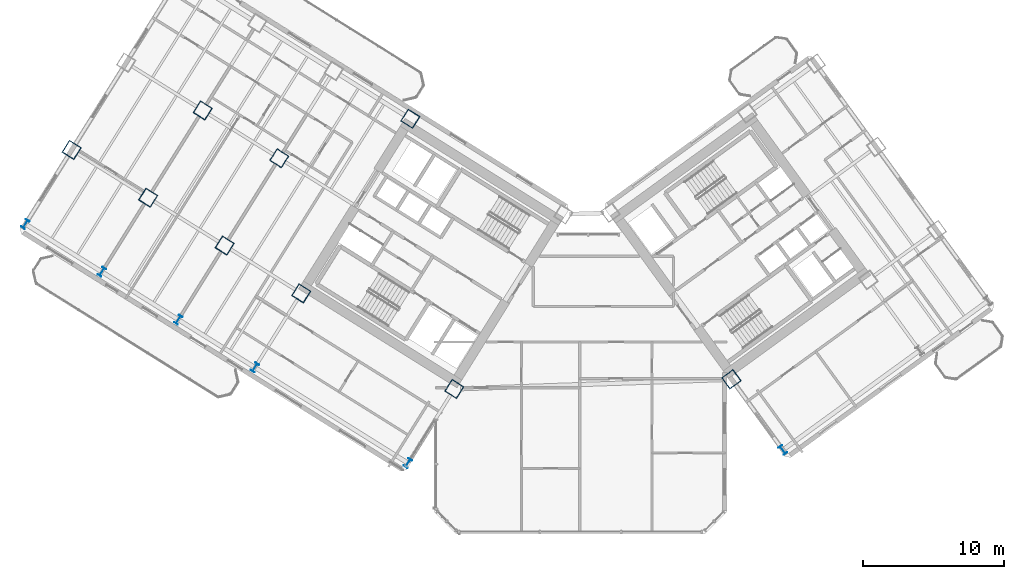
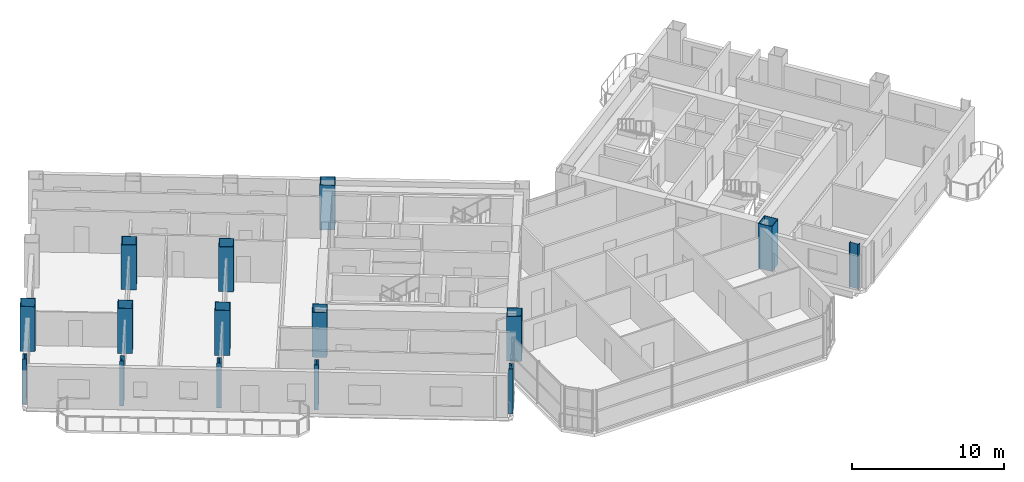
# One storey, part 1 of 24: 15 columns.
"""IFC4 building model written with IfcOpenShell, lengths in metres."""

import ifcopenshell
import ifcopenshell.guid

model = None  # the IFC model being written
_history = None  # IfcOwnerHistory: only IFC2X3 demands one
_inside = {}  # id of a spatial element -> (the spatial element, [elements in it])
_under = {}  # id of a project, library or spatial element -> (it, [spatial elements below it])
_declared = {}  # id of a project -> (the project, [libraries it declares])
_typed = {}  # id of a type object -> (the type object, [elements of that type])
_made_of = {}  # id of a material, layer set ... -> (it, [elements and type objects made of it])


def new_model(schema):
    """Start an empty IFC model of exactly this schema.

    Asked for "IFC4X3", IfcOpenShell would pick the latest addendum, in which some entities
    have other attributes; the version numbers below select the first issue.
    IFC2X3 requires an IfcOwnerHistory on every rooted entity: one is made here for all.
    """
    global model, _history
    if schema == "IFC4X3":
        model = ifcopenshell.file(schema_version=(4, 3, 0, 0))
    else:
        model = ifcopenshell.file(schema=schema)
    _inside.clear()
    _under.clear()
    _declared.clear()
    _typed.clear()
    _made_of.clear()
    _history = None
    if model.schema == "IFC2X3":
        org = make("IfcOrganization", Name="unknown")
        user = make(
            "IfcPersonAndOrganization",
            ThePerson=make("IfcPerson", FamilyName="unknown"),
            TheOrganization=org,
        )
        app = make(
            "IfcApplication",
            ApplicationDeveloper=org,
            Version="unknown",
            ApplicationFullName="unknown",
            ApplicationIdentifier="unknown",
        )
        _history = make(
            "IfcOwnerHistory",
            OwningUser=user,
            OwningApplication=app,
            ChangeAction="ADDED",
            CreationDate=0,
        )
    return model


def make(cls, **values):
    """One entity of the class cls with the attributes given. An attribute that is None is left unset."""
    return model.create_entity(
        cls, **{name: value for name, value in values.items() if value is not None}
    )


def rooted(cls, **values):
    """An entity with a GlobalId (a new one), such as an element, a storey or a relation."""
    return make(cls, GlobalId=ifcopenshell.guid.new(), OwnerHistory=_history, **values)


def si_unit(unit_type, name, prefix=None):
    """IfcSIUnit, for example si_unit("LENGTHUNIT", "METRE", prefix="MILLI")."""
    return make("IfcSIUnit", UnitType=unit_type, Prefix=prefix, Name=name)


def assignment(units):
    """IfcUnitAssignment: the units of a project."""
    return None if units is None else make("IfcUnitAssignment", Units=units)


def point(xyz):
    """IfcCartesianPoint."""
    return None if xyz is None else make("IfcCartesianPoint", Coordinates=xyz)


def direction(xyz):
    """IfcDirection."""
    return None if xyz is None else make("IfcDirection", DirectionRatios=xyz)


def frame(location, z_axis=None, x_axis=None):
    """IfcAxis2Placement3D, a coordinate frame: its origin and axes. An axis left out is left unset."""
    return make(
        "IfcAxis2Placement3D",
        Location=point(location),
        Axis=direction(z_axis),
        RefDirection=direction(x_axis),
    )


def frame_2d(location, x_axis=None):
    """IfcAxis2Placement2D, a coordinate frame in the plane: its origin and x axis."""
    return make(
        "IfcAxis2Placement2D", Location=point(location), RefDirection=direction(x_axis)
    )


def origin():
    """The frame at (0, 0, 0) with its axes left unset."""
    return frame((0.0, 0.0, 0.0))


def origin_2d():
    """The frame at (0, 0) in the plane with its x axis left unset."""
    return frame_2d((0.0, 0.0))


def place(relative_to, where):
    """IfcLocalPlacement: puts the frame where relative to a parent placement (None: the world)."""
    return make(
        "IfcLocalPlacement", PlacementRelTo=relative_to, RelativePlacement=where
    )


def context(
    kind, dimensions, precision=None, world=None, true_north=None, identifier=None
):
    """IfcGeometricRepresentationContext, for example the 3D "Model" context."""
    return make(
        "IfcGeometricRepresentationContext",
        ContextIdentifier=identifier,
        ContextType=kind,
        CoordinateSpaceDimension=dimensions,
        Precision=precision,
        WorldCoordinateSystem=world,
        TrueNorth=true_north,
    )


def subcontext(parent, identifier, kind, view, scale=None):
    """IfcGeometricRepresentationSubContext, for example "Body" below "Model"."""
    return make(
        "IfcGeometricRepresentationSubContext",
        ContextIdentifier=identifier,
        ContextType=kind,
        ParentContext=parent,
        TargetScale=scale,
        TargetView=view,
    )


def project(units=None, contexts=None):
    """IfcProject with its units and contexts."""
    return rooted(
        "IfcProject",
        Name="project",
        RepresentationContexts=contexts,
        UnitsInContext=assignment(units),
    )


def spatial(cls, under=None, at=None, **own):
    """A site, building, storey or space (cls), placed at a placement, below another one or the project."""
    s = rooted(cls, ObjectPlacement=at, **own)
    if under is not None:
        _under.setdefault(under.id(), (under, []))[1].append(s)
    return s


def profile(cls, at=None, kind="AREA", **sizes):
    """A parametric profile (cls). Its sizes go by their IFC names, for example OverallWidth=200.0."""
    return make(cls, ProfileType=kind, Position=at, **sizes)


def hollow_rectangle(**sizes):
    """IfcRectangleHollowProfileDef."""
    return profile("IfcRectangleHollowProfileDef", **sizes)


def i_section(**sizes):
    """IfcIShapeProfileDef."""
    return profile("IfcIShapeProfileDef", **sizes)


def extrude(swept, where, along, depth):
    """IfcExtrudedAreaSolid: the profile swept, set in the frame where, extruded along a direction by depth."""
    return make(
        "IfcExtrudedAreaSolid",
        SweptArea=swept,
        Position=where,
        ExtrudedDirection=direction(along),
        Depth=depth,
    )


def shape(context_of_items, identifier, shape_type, items):
    """IfcShapeRepresentation: the items that make up one representation, for example the "Body"."""
    return make(
        "IfcShapeRepresentation",
        ContextOfItems=context_of_items,
        RepresentationIdentifier=identifier,
        RepresentationType=shape_type,
        Items=items,
    )


def source(mapping_origin, context_of_items, identifier, shape_type, items):
    """IfcRepresentationMap: a shape defined once, which mapped items show again and again."""
    return make(
        "IfcRepresentationMap",
        MappingOrigin=mapping_origin,
        MappedRepresentation=shape(context_of_items, identifier, shape_type, items),
    )


def transform(
    local_origin,
    x_axis=None,
    y_axis=None,
    z_axis=None,
    scale=None,
    scale2=None,
    scale3=None,
    uniform=True,
):
    """IfcCartesianTransformationOperator3D, or its non-uniform kind. x_axis, y_axis, z_axis: its Axis1, 2, 3."""
    if uniform:
        return make(
            "IfcCartesianTransformationOperator3D",
            Axis1=direction(x_axis),
            Axis2=direction(y_axis),
            LocalOrigin=point(local_origin),
            Scale=scale,
            Axis3=direction(z_axis),
        )
    return make(
        "IfcCartesianTransformationOperator3DnonUniform",
        Axis1=direction(x_axis),
        Axis2=direction(y_axis),
        LocalOrigin=point(local_origin),
        Scale=scale,
        Axis3=direction(z_axis),
        Scale2=scale2,
        Scale3=scale3,
    )


def mapped(mapping_source, mapping_target):
    """IfcMappedItem: shows the shape of a source again, moved by a transform."""
    return make(
        "IfcMappedItem", MappingSource=mapping_source, MappingTarget=mapping_target
    )


def material(Name=None, Category=None):
    """IfcMaterial."""
    return make("IfcMaterial", Name=Name, Category=Category)


def material_profile(
    of_material, cross_section, Name=None, Category=None, Priority=None
):
    """IfcMaterialProfile: a cross section and its material."""
    return make(
        "IfcMaterialProfile",
        Name=Name,
        Material=of_material,
        Profile=cross_section,
        Priority=Priority,
        Category=Category,
    )


def profile_set(profiles, Name=None, composite=None):
    """IfcMaterialProfileSet."""
    return make(
        "IfcMaterialProfileSet",
        Name=Name,
        MaterialProfiles=profiles,
        CompositeProfile=composite,
    )


def made_of(thing, what):
    """Note that an element or type object is made of a material, layer set ...; save() writes the relation."""
    if what is not None:
        _made_of.setdefault(what.id(), (what, []))[1].append(thing)
    return thing


def type_object(cls, material=None, **own):
    """A type object (cls), such as IfcWallType, which elements share."""
    return made_of(rooted(cls, **own), material)


def element(
    cls,
    number,
    at=None,
    inside=None,
    cuts=None,
    type_object=None,
    material=None,
    context=None,
    identifier="Body",
    shape_type=None,
    held_by="IfcProductDefinitionShape",
    body=None,
    shapes=None,
    **own,
):
    """One element of the class cls, such as IfcWall. Its Tag is "e" and its number.

    at: its placement. inside: the storey or other place that contains it. cuts: it is an
    opening in that element (IfcRelVoidsElement). A single representation is given by context,
    identifier, shape_type and body (its items); several are given by shapes. held_by: the class
    of the entity that holds the representations. save() writes the other relations.
    """
    e = rooted(cls, Tag="e%d" % number, ObjectPlacement=at, **own)
    if body is not None:
        shapes = [shape(context, identifier, shape_type, body)]
    if shapes is not None:
        e.Representation = make(held_by, Representations=shapes)
    if inside is not None:
        _inside.setdefault(inside.id(), (inside, []))[1].append(e)
    if cuts is not None:
        rooted(
            "IfcRelVoidsElement", RelatingBuildingElement=cuts, RelatedOpeningElement=e
        )
    if type_object is not None:
        _typed.setdefault(type_object.id(), (type_object, []))[1].append(e)
    return made_of(e, material)


def aggregate(whole, parts):
    """IfcRelAggregates: a whole, such as a stair, and the parts it consists of."""
    return rooted("IfcRelAggregates", RelatingObject=whole, RelatedObjects=parts)


def save(model, path):
    """Write the relations noted so far, then the file.

    IfcRelAggregates (storeys below a building ...), IfcRelContainedInSpatialStructure (elements
    in a storey), IfcRelDefinesByType, IfcRelAssociatesMaterial and IfcRelDeclares: one each for
    every whole, place, type object, material and project.
    """
    for whole, parts in _under.values():
        aggregate(whole, parts)
    for where, things in _inside.values():
        rooted(
            "IfcRelContainedInSpatialStructure",
            RelatedElements=things,
            RelatingStructure=where,
        )
    for kind, things in _typed.values():
        rooted("IfcRelDefinesByType", RelatedObjects=things, RelatingType=kind)
    for what, things in _made_of.values():
        rooted("IfcRelAssociatesMaterial", RelatedObjects=things, RelatingMaterial=what)
    for by, libraries in _declared.values():
        rooted("IfcRelDeclares", RelatingContext=by, RelatedDefinitions=libraries)
    model.write(path)


model = new_model("IFC4")

# Units and contexts
model_context = context("Model", 3, precision=1e-05, world=origin(), true_north=direction((0.0, 1.0)))
body_context = subcontext(model_context, "Body", "Model", "MODEL_VIEW")
ifc_project = project(units=[si_unit("LENGTHUNIT", "METRE"), si_unit("AREAUNIT", "SQUARE_METRE"), si_unit("VOLUMEUNIT", "CUBIC_METRE"), si_unit("PLANEANGLEUNIT", "RADIAN"), si_unit("MASSUNIT", "GRAM", prefix="KILO")], contexts=[model_context])

# Site, building, storey
site_placement = place(None, origin())
site = spatial("IfcSite", under=ifc_project, at=site_placement, CompositionType="ELEMENT")
building_placement = place(site_placement, origin())
building = spatial("IfcBuilding", under=site, at=building_placement, Name="Tlacorven Tower", CompositionType="ELEMENT")
storey_placement = place(building_placement, frame((0.0, 0.0, 38.39990234375)))
storey = spatial("IfcBuildingStorey", under=building, at=storey_placement, Name="L09", CompositionType="ELEMENT", Elevation=38.39990234375)

# Columns
ifc_material = material(Name="Steel S460M", Category="steel")
ifc_material_profile_1 = material_profile(ifc_material, hollow_rectangle(XDim=1.0, YDim=1.0, WallThickness=0.0400390625, at=origin_2d()), Name="BOX 1000X1000X40")
ifc_profile_set_1 = profile_set([ifc_material_profile_1], Name="Steel S460M")
column_type_1 = type_object("IfcColumnType", Name="COL-TWR-S1", PredefinedType="COLUMN", material=ifc_profile_set_1)
shared_shape_1 = source(origin(), body_context, "Body", "SweptSolid", [
    extrude(hollow_rectangle(XDim=1.0, YDim=1.0, WallThickness=0.0400390625, at=origin_2d()), origin(), (0.0, 0.0, 1.0), 3.60009765625),
])
for number, where, z_axis, x_axis, name in (
    (1, (33.046142578125, 12.0869140625, 0.0), (0.0, 0.0, 1.0), (-0.848048096156, 0.529919264233, 0.0), "L09 column COL-L09-W1-3"),
    (2, (29.927978515625, 31.25146484375, 0.0), (0.0, 0.0, 1.0), (-0.848048096156, 0.529919264233, 0.0), "L09 column COL-L09-W3-1"),
    (3, (22.191162109375, 18.869873046875, 0.0), (0.0, 0.0, 1.0), (-0.848048096156, 0.529919264233, 0.0), "L09 column COL-L09-W3-3"),
    (4, (20.632080078125, 28.4521484375, 0.0), (0.0, 0.0, 1.0), (-0.848048096156, 0.529919264233, 0.0), "L09 column COL-L09-W4-2"),
    (5, (16.763671875, 22.26123046875, 0.0), (0.0, 0.0, 1.0), (-0.848048096156, 0.529919264233, 0.0), "L09 column COL-L09-W4-3"),
    (6, (15.20458984375, 31.843505859375, 0.0), (0.0, 0.0, 1.0), (-0.848048096156, 0.529919264233, 0.0), "L09 column COL-L09-W5-2"),
    (7, (11.336181640625, 25.65283203125, 0.0), (0.0, 0.0, 1.0), (-0.848048096156, 0.529919264233, 0.0), "L09 column COL-L09-W5-3"),
    (8, (5.90869140625, 29.044189453125, 0.0), (0.0, 0.0, 1.0), (-0.848048096156, 0.529919264233, 0.0), "L09 column COL-L09-W6-3"),
    (9, (52.705322265625, 12.7734375, 0.0), (0.0, 0.0, 1.0), (0.809016994375, 0.587785252292, 0.0), "L09 column COL-L09-E1-2"),
):
    element("IfcColumn", number, at=place(storey_placement, frame(where, z_axis=z_axis, x_axis=x_axis)), inside=storey, type_object=column_type_1, Name=name, PredefinedType="COLUMN", context=body_context, shape_type="MappedRepresentation", body=[
        mapped(shared_shape_1, transform((0.0, 0.0, 0.0), scale=1.0)),
    ])
ifc_material_profile_2 = material_profile(ifc_material, i_section(OverallWidth=0.300048828125, OverallDepth=0.64990234375, WebThickness=0.01611328125, FlangeThickness=0.031005859375, at=origin_2d()), Name="HEB 650")
ifc_profile_set_2 = profile_set([ifc_material_profile_2], Name="Steel S460M")
column_type_2 = type_object("IfcColumnType", Name="COL-TWR-P1", PredefinedType="COLUMN", material=ifc_profile_set_2)
shared_shape_2 = source(origin(), body_context, "Body", "SweptSolid", [
    extrude(i_section(OverallWidth=0.300048828125, OverallDepth=0.64990234375, WebThickness=0.01611328125, FlangeThickness=0.031005859375, at=origin_2d()), origin(), (0.0, 0.0, 1.0), 3.60009765625),
])
for number, where, z_axis, x_axis, name in (
    (10, (29.7607421875, 6.8291015625, 0.0), (0.0, 0.0, 1.0), (-0.848048096156, 0.529919264233, 0.0), "L09 column COL-L09-W1-4"),
    (11, (18.905517578125, 13.612060546875, 0.0), (0.0, 0.0, 1.0), (-0.848048096156, 0.529919264233, 0.0), "L09 column COL-L09-W3-4"),
    (12, (13.47802734375, 17.00341796875, 0.0), (0.0, 0.0, 1.0), (-0.848048096156, 0.529919264233, 0.0), "L09 column COL-L09-W4-4"),
    (13, (8.050537109375, 20.39501953125, 0.0), (0.0, 0.0, 1.0), (-0.848048096156, 0.529919264233, 0.0), "L09 column COL-L09-W5-4"),
    (14, (2.623046875, 23.786376953125, 0.0), (0.0, 0.0, 1.0), (-0.848048096156, 0.529919264233, 0.0), "L09 column COL-L09-W6-4"),
    (15, (56.349609375, 7.757568359375, 0.0), (0.0, 0.0, 1.0), (0.809016994375, 0.587785252292, 0.0), "L09 column COL-L09-E1-1"),
):
    element("IfcColumn", number, at=place(storey_placement, frame(where, z_axis=z_axis, x_axis=x_axis)), inside=storey, type_object=column_type_2, Name=name, PredefinedType="COLUMN", context=body_context, shape_type="MappedRepresentation", body=[
        mapped(shared_shape_2, transform((0.0, 0.0, 0.0), scale=1.0)),
    ])

save(model, "model.ifc")
